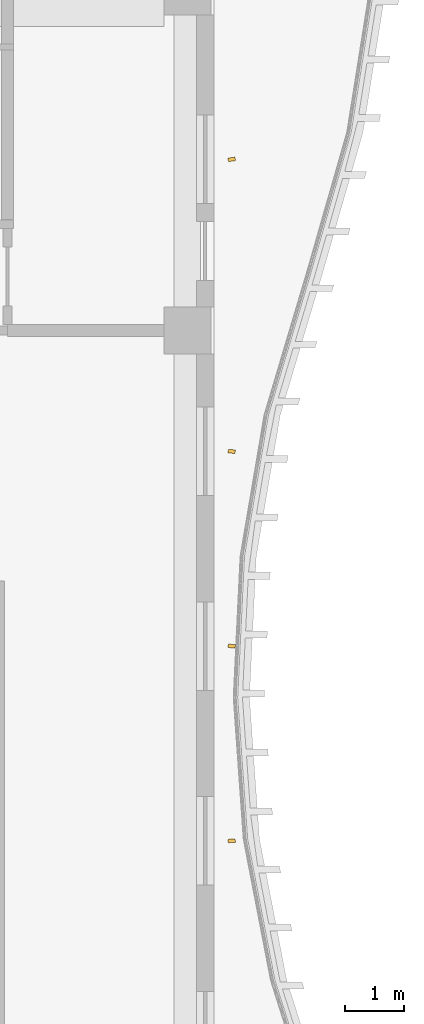
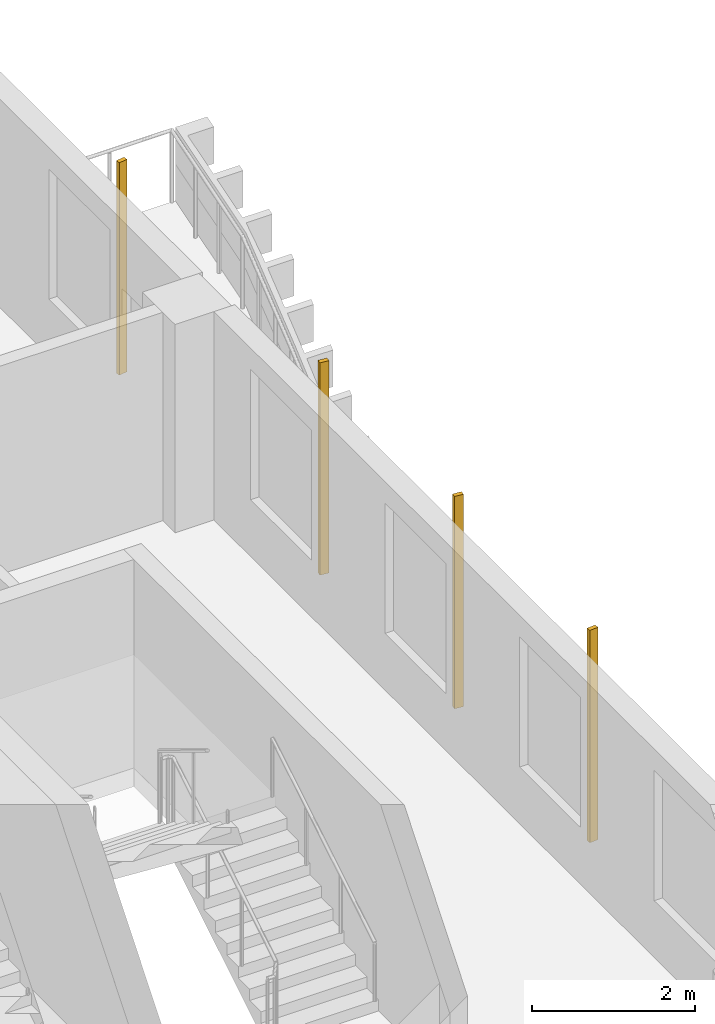
# One storey, part 20 of 20: 4 shading devices.
"""IFC4 building model written with IfcOpenShell, lengths in metres."""

from ifc_helpers import new_model, si_unit, direction, frame, origin, origin_2d, place, context, subcontext, project, spatial, rectangle, extrude, source, transform, mapped, material, material_profile, profile_set, type_object, element, save


model = new_model("IFC4")

# Units and contexts
model_context = context("Model", 3, precision=1e-05, world=origin(), true_north=direction((0.0, 1.0)))
body_context = subcontext(model_context, "Body", "Model", "MODEL_VIEW")
ifc_project = project(units=[si_unit("LENGTHUNIT", "METRE"), si_unit("AREAUNIT", "SQUARE_METRE"), si_unit("VOLUMEUNIT", "CUBIC_METRE"), si_unit("PLANEANGLEUNIT", "RADIAN"), si_unit("MASSUNIT", "GRAM", prefix="KILO")], contexts=[model_context])

# Site, building, storey
site_placement = place(None, origin())
site = spatial("IfcSite", under=ifc_project, at=site_placement, CompositionType="ELEMENT")
building_placement = place(site_placement, origin())
building = spatial("IfcBuilding", under=site, at=building_placement, Name="Kilnfold Tower and Market Hall", CompositionType="ELEMENT")
storey_placement = place(building_placement, frame((0.0, 0.0, 157.5)))
storey = spatial("IfcBuildingStorey", under=building, at=storey_placement, Name="L36", CompositionType="ELEMENT", Elevation=157.5)

# Shading devices
ifc_material = material(Name="Terracotta", Category="masonry")
ifc_material_profile = material_profile(ifc_material, rectangle(XDim=0.06005859375, YDim=0.1201171875, at=origin_2d()), Name="BAG 60x120")
ifc_profile_set = profile_set([ifc_material_profile], Name="Terracotta")
shading_device_type = type_object("IfcShadingDeviceType", Name="BAGUETTE", PredefinedType="USERDEFINED", material=ifc_profile_set)
shared_shape = source(origin(), body_context, "Body", "SweptSolid", [
    extrude(rectangle(XDim=0.06005859375, YDim=0.1201171875, at=origin_2d()), origin(), (0.0, 0.0, 1.0), 3.179931640625),
])
for number, where, z_axis, x_axis, name in (
    (1, (25.550048828125, 13.35009765625, 0.0), (0.0, 0.0, 1.0), (-0.082696889561, 0.996574746046, 0.0), "Terracotta baguette L36 E"),
    (2, (25.550048828125, 16.64990234375, 0.0), (0.0, 0.0, 1.0), (0.10436877125, 0.994538666713, 0.0), "Terracotta baguette L36 E"),
    (3, (25.550048828125, 19.949951171875, 0.0), (0.0, 0.0, 1.0), (0.101361897825, 0.994849619626, 0.0), "Terracotta baguette L36 E"),
    (4, (25.550048828125, 24.89990234375, 0.0), (0.0, 0.0, 1.0), (-0.137328717833, 0.990525528827, 0.0), "Terracotta baguette L36 E"),
):
    element("IfcShadingDevice", number, at=place(storey_placement, frame(where, z_axis=z_axis, x_axis=x_axis)), inside=storey, type_object=shading_device_type, Name=name, ObjectType="BAGUETTE", PredefinedType="USERDEFINED", context=body_context, shape_type="MappedRepresentation", body=[
        mapped(shared_shape, transform((0.0, 0.0, 0.0))),
    ])

save(model, "model.ifc")
